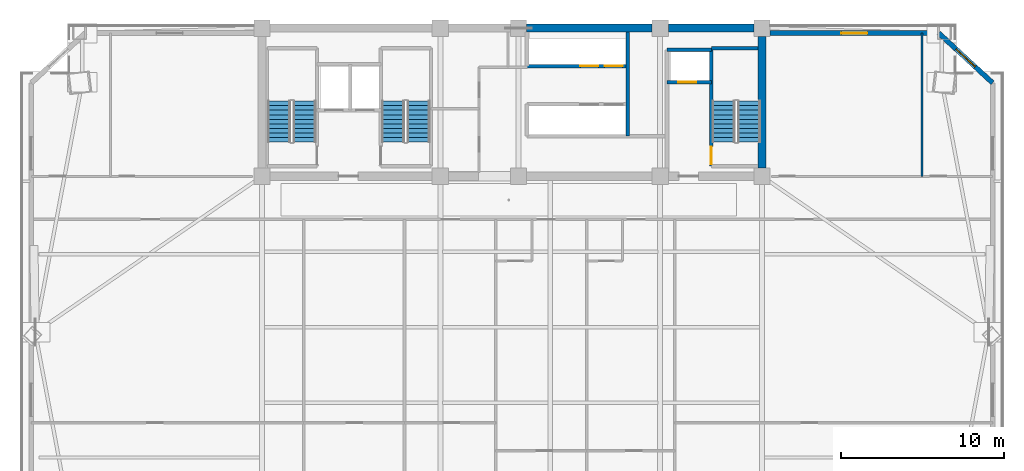
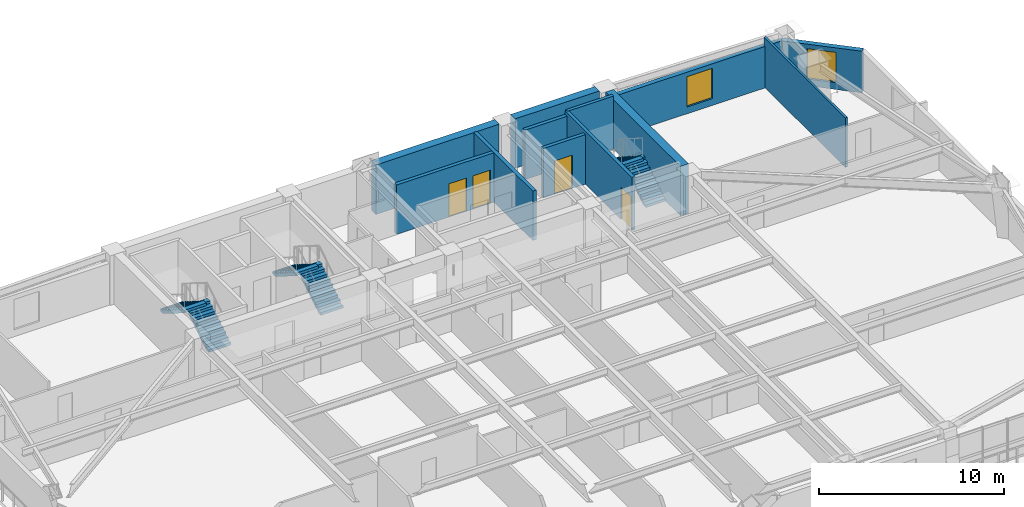
# One storey, part 10 of 16: 12 walls, 6 stair flights, 4 doors, 2 windows, 6 openings, 3 elements without a shape of their own.
"""IFC4 building model written with IfcOpenShell, lengths in metres."""

from ifc_helpers import new_model, si_unit, direction, frame, frame_2d, origin, place, context, subcontext, project, spatial, polyline, rectangle, outline, extrude, source, transform, mapped, material, layer, layer_set, type_object, element, fill, aggregate, save


model = new_model("IFC4")

# Units and contexts
model_context = context("Model", 3, precision=1e-05, world=origin(), true_north=direction((0.0, 1.0)))
body_context = subcontext(model_context, "Body", "Model", "MODEL_VIEW")
ifc_project = project(units=[si_unit("LENGTHUNIT", "METRE"), si_unit("AREAUNIT", "SQUARE_METRE"), si_unit("VOLUMEUNIT", "CUBIC_METRE"), si_unit("PLANEANGLEUNIT", "RADIAN"), si_unit("MASSUNIT", "GRAM", prefix="KILO")], contexts=[model_context])

# Site, building, storey
site_placement = place(None, origin())
site = spatial("IfcSite", under=ifc_project, at=site_placement, CompositionType="ELEMENT")
building_placement = place(site_placement, origin())
building = spatial("IfcBuilding", under=site, at=building_placement, Name="Giltprow Tower", CompositionType="ELEMENT")
storey_placement = place(building_placement, frame((0.0, 0.0, 166.699951171875)))
storey = spatial("IfcBuildingStorey", under=building, at=storey_placement, Name="L41", CompositionType="ELEMENT", Elevation=166.699951171875)

# Wall, opening, window
ifc_material_1 = material(Name="Precast concrete C40", Category="concrete")
ifc_layer_1 = layer(ifc_material_1, 0.300048828125, Name="Precast concrete C40")
ifc_layer_set_1 = layer_set([ifc_layer_1], Name="Precast concrete C40")
wall_type_1 = type_object("IfcWallType", Name="EW-NOTCH-CHAMFER-300", PredefinedType="SOLIDWALL", material=ifc_layer_set_1)
wall_1_placement = place(storey_placement, frame((64.716064453125, 43.18701171875, 0.0), z_axis=(0.0, 0.0, 1.0), x_axis=(-0.734267997056, 0.678859711943, 0.0)))
wall_1 = element("IfcWall", 1, at=wall_1_placement, inside=storey, type_object=wall_type_1, Name="L41 Corner Notch Wall NE", PredefinedType="SOLIDWALL", context=body_context, shape_type="SweptSolid", body=[
    extrude(rectangle(XDim=4.511962890625, YDim=0.300048828125, at=frame_2d((2.255859375, 0.0))), origin(), (0.0, 0.0, 1.0), 2.75),
])
opening_1_placement = place(wall_1_placement, frame((1.4560546875, 0.0, 0.449951171875)))
opening_1 = element("IfcOpeningElement", 2, at=opening_1_placement, cuts=wall_1, Name="Opening WN17", PredefinedType="OPENING", context=body_context, shape_type="SweptSolid", body=[
    extrude(rectangle(XDim=1.60009765625, YDim=2.0, at=frame_2d((0.800048828125, 1.0))), frame((0.0, 0.159912109375, 0.0), z_axis=(0.0, -1.0, 0.0), x_axis=(1.0, 0.0, 0.0)), (0.0, 0.0, 1.0), 0.320068359375),
])
ifc_material_2 = material(Name="Insulated glass", Category="glass")
window_type = type_object("IfcWindowType", Name="WN-COR-1600x2000", PartitioningType="SINGLE_PANEL", PredefinedType="WINDOW", material=ifc_material_2)
shared_shape_1 = source(origin(), body_context, "Body", "SweptSolid", [
    extrude(rectangle(XDim=1.60009765625, YDim=2.0, at=frame_2d((0.800048828125, 1.0))), frame((0.0, 0.030029296875, 0.0), z_axis=(0.0, -1.0, 0.0), x_axis=(1.0, 0.0, 0.0)), (0.0, 0.0, 1.0), 0.06005859375),
])
window_1_placement = place(opening_1_placement, origin())
window_1 = element("IfcWindow", 3, at=window_1_placement, inside=storey, type_object=window_type, Name="L41 Corner Notch Window NE", OverallHeight=2.0, OverallWidth=1.60009765625, PartitioningType="SINGLE_PANEL", PredefinedType="WINDOW", context=body_context, shape_type="MappedRepresentation", body=[
    mapped(shared_shape_1, transform((0.0, 0.0, 0.0), x_axis=(1.0, 0.0, 0.0), y_axis=(0.0, 1.0, 0.0), z_axis=(0.0, 0.0, 1.0), scale=1.0)),
])
fill(opening_1, window_1)

ifc_layer_2 = layer(ifc_material_1, 0.280029296875, Name="Precast concrete C40")
ifc_layer_set_2 = layer_set([ifc_layer_2], Name="Precast concrete C40")
wall_type_2 = type_object("IfcWallType", Name="EW-TOW-BRONZE-280", PredefinedType="SOLIDWALL", material=ifc_layer_set_2)
wall_2_placement = place(storey_placement, frame((51.050048828125, 46.25, 0.0), z_axis=(0.0, 0.0, 1.0), x_axis=(1.0, 0.0, 0.0)))
wall_2 = element("IfcWall", 4, at=wall_2_placement, inside=storey, type_object=wall_type_2, Name="L41 North-East Wing Wall", PredefinedType="SOLIDWALL", context=body_context, shape_type="SweptSolid", body=[
    extrude(rectangle(XDim=10.35302734375, YDim=0.280029296875, at=frame_2d((5.176513671875, 0.0))), origin(), (0.0, 0.0, 1.0), 2.75),
])
opening_2_placement = place(wall_2_placement, frame((4.376953125, 0.0, 0.449951171875)))
opening_2 = element("IfcOpeningElement", 5, at=opening_2_placement, cuts=wall_2, Name="Opening WN17", PredefinedType="OPENING", context=body_context, shape_type="SweptSolid", body=[
    extrude(rectangle(XDim=1.60009765625, YDim=2.0, at=frame_2d((0.800048828125, 1.0))), frame((0.0, 0.14990234375, 0.0), z_axis=(0.0, -1.0, 0.0), x_axis=(1.0, 0.0, 0.0)), (0.0, 0.0, 1.0), 0.300048828125),
])
window_2_placement = place(opening_2_placement, origin())
window_2 = element("IfcWindow", 6, at=window_2_placement, inside=storey, type_object=window_type, Name="L41 North-East Window", OverallHeight=2.0, OverallWidth=1.60009765625, PartitioningType="SINGLE_PANEL", PredefinedType="WINDOW", context=body_context, shape_type="MappedRepresentation", body=[
    mapped(shared_shape_1, transform((0.0, 0.0, 0.0), x_axis=(1.0, 0.0, 0.0), y_axis=(0.0, 1.0, 0.0), z_axis=(0.0, 0.0, 1.0), scale=1.0)),
])
fill(opening_2, window_2)

# Wall, opening, door
ifc_material_3 = material(Name="Concrete C40", Category="concrete")
ifc_layer_3 = layer(ifc_material_3, 0.219970703125, Name="Concrete C40")
ifc_layer_set_3 = layer_set([ifc_layer_3], Name="Concrete C40")
wall_type_3 = type_object("IfcWallType", Name="IW-SHAFT-220", PredefinedType="SOLIDWALL", material=ifc_layer_set_3)
wall_3_placement = place(storey_placement, frame((44.719970703125, 43.219970703125, 0.0), z_axis=(0.0, 0.0, 1.0), x_axis=(1.0, 0.0, 0.0)))
wall_3 = element("IfcWall", 7, at=wall_3_placement, inside=storey, type_object=wall_type_3, Name="L41 FFL2 Front Shaft Wall", PredefinedType="SOLIDWALL", context=body_context, shape_type="SweptSolid", body=[
    extrude(rectangle(XDim=2.719970703125, YDim=0.219970703125, at=frame_2d((1.35986328125, 0.0))), origin(), (0.0, 0.0, 1.0), 3.27001953125),
])
opening_3_placement = place(wall_3_placement, frame((0.699951171875, 0.0, 0.0)))
opening_3 = element("IfcOpeningElement", 8, at=opening_3_placement, cuts=wall_3, Name="Opening LD-11", PredefinedType="OPENING", context=body_context, shape_type="SweptSolid", body=[
    extrude(rectangle(XDim=1.10009765625, YDim=2.199951171875, at=frame_2d((0.550048828125, 1.10009765625))), frame((0.0, 0.119873046875, 0.0), z_axis=(0.0, -1.0, 0.0), x_axis=(1.0, 0.0, 0.0)), (0.0, 0.0, 1.0), 0.239990234375),
])
ifc_material_4 = material(Name="Stainless steel", Category="steel")
door_type_1 = type_object("IfcDoorType", Name="DR-LIFT-LD1100", OperationType="SLIDING_TO_LEFT", PredefinedType="DOOR", material=ifc_material_4)
shared_shape_2 = source(origin(), body_context, "Body", "SweptSolid", [
    extrude(rectangle(XDim=1.10009765625, YDim=2.199951171875, at=frame_2d((0.550048828125, 1.10009765625))), frame((0.0, 0.02490234375, 0.0), z_axis=(0.0, -1.0, 0.0), x_axis=(1.0, 0.0, 0.0)), (0.0, 0.0, 1.0), 0.050048828125),
])
door_1_placement = place(opening_3_placement, origin())
door_1 = element("IfcDoor", 9, at=door_1_placement, inside=storey, type_object=door_type_1, Name="L41 FFL2 Landing Door", OperationType="SLIDING_TO_LEFT", OverallHeight=2.199951171875, OverallWidth=1.10009765625, PredefinedType="DOOR", context=body_context, shape_type="MappedRepresentation", body=[
    mapped(shared_shape_2, transform((0.0, 0.0, 0.0), x_axis=(1.0, 0.0, 0.0), y_axis=(0.0, 1.0, 0.0), z_axis=(0.0, 0.0, 1.0), scale=1.0)),
])
fill(opening_3, door_1)

# Wall
wall_4_placement = place(storey_placement, frame((44.719970703125, 45.219970703125, 0.0), z_axis=(0.0, 0.0, 1.0), x_axis=(1.0, 0.0, 0.0)))
element("IfcWall", 10, at=wall_4_placement, inside=storey, type_object=wall_type_3, Name="L41 FFL2 Back Shaft Wall", PredefinedType="SOLIDWALL", context=body_context, shape_type="SweptSolid", body=[
    extrude(rectangle(XDim=2.719970703125, YDim=0.219970703125, at=frame_2d((1.35986328125, 0.0))), origin(), (0.0, 0.0, 1.0), 3.27001953125),
])

# Wall, openings, doors
wall_5_placement = place(storey_placement, frame((36.1201171875, 44.219970703125, 0.0), z_axis=(0.0, 0.0, 1.0), x_axis=(1.0, 0.0, 0.0)))
wall_5 = element("IfcWall", 11, at=wall_5_placement, inside=storey, type_object=wall_type_3, Name="L41 Mid-Rise Lift Shaft Front Wall N", PredefinedType="SOLIDWALL", context=body_context, shape_type="SweptSolid", body=[
    extrude(rectangle(XDim=6.199951171875, YDim=0.219970703125, at=frame_2d((3.10009765625, 0.0))), origin(), (0.0, 0.0, 1.0), 3.27001953125),
])
opening_4_placement = place(wall_5_placement, frame((3.280029296875, 0.0, 0.0)))
opening_4 = element("IfcOpeningElement", 12, at=opening_4_placement, cuts=wall_5, Name="Opening LD-11", PredefinedType="OPENING", context=body_context, shape_type="SweptSolid", body=[
    extrude(rectangle(XDim=1.10009765625, YDim=2.199951171875, at=frame_2d((0.550048828125, 1.10009765625))), frame((0.0, 0.119873046875, 0.0), z_axis=(0.0, -1.0, 0.0), x_axis=(1.0, 0.0, 0.0)), (0.0, 0.0, 1.0), 0.239990234375),
])
opening_5_placement = place(wall_5_placement, frame((4.77001953125, 0.0, 0.0)))
opening_5 = element("IfcOpeningElement", 13, at=opening_5_placement, cuts=wall_5, Name="Opening LD-11", PredefinedType="OPENING", context=body_context, shape_type="SweptSolid", body=[
    extrude(rectangle(XDim=1.10009765625, YDim=2.199951171875, at=frame_2d((0.550048828125, 1.10009765625))), frame((0.0, 0.119873046875, 0.0), z_axis=(0.0, -1.0, 0.0), x_axis=(1.0, 0.0, 0.0)), (0.0, 0.0, 1.0), 0.239990234375),
])
door_2_placement = place(opening_4_placement, origin())
door_2 = element("IfcDoor", 14, at=door_2_placement, inside=storey, type_object=door_type_1, Name="L41 PL-M1 Landing Door", OperationType="SLIDING_TO_LEFT", OverallHeight=2.199951171875, OverallWidth=1.10009765625, PredefinedType="DOOR", context=body_context, shape_type="MappedRepresentation", body=[
    mapped(shared_shape_2, transform((0.0, 0.0, 0.0), x_axis=(1.0, 0.0, 0.0), y_axis=(0.0, 1.0, 0.0), z_axis=(0.0, 0.0, 1.0), scale=1.0)),
])
fill(opening_4, door_2)
door_3_placement = place(opening_5_placement, origin())
door_3 = element("IfcDoor", 15, at=door_3_placement, inside=storey, type_object=door_type_1, Name="L41 PL-M2 Landing Door", OperationType="SLIDING_TO_LEFT", OverallHeight=2.199951171875, OverallWidth=1.10009765625, PredefinedType="DOOR", context=body_context, shape_type="MappedRepresentation", body=[
    mapped(shared_shape_2, transform((0.0, 0.0, 0.0), x_axis=(1.0, 0.0, 0.0), y_axis=(0.0, 1.0, 0.0), z_axis=(0.0, 0.0, 1.0), scale=1.0)),
])
fill(opening_5, door_3)

# Wall
wall_6_placement = place(storey_placement, frame((42.320068359375, 39.919921875, 0.0), z_axis=(0.0, 0.0, 1.0), x_axis=(0.0, 1.0, 0.0)))
element("IfcWall", 16, at=wall_6_placement, inside=storey, type_object=wall_type_3, Name="L41 Mid-Rise Lift Bank East Closure", PredefinedType="SOLIDWALL", context=body_context, shape_type="SweptSolid", body=[
    extrude(rectangle(XDim=6.400146484375, YDim=0.219970703125, at=frame_2d((3.2001953125, 0.0))), origin(), (0.0, 0.0, 1.0), 3.27001953125),
])

# Wall, opening, door
ifc_layer_4 = layer(ifc_material_3, 0.199951171875, Name="Concrete C40")
ifc_layer_set_4 = layer_set([ifc_layer_4], Name="Concrete C40")
wall_type_4 = type_object("IfcWallType", Name="IW-STAIR-200", PredefinedType="SOLIDWALL", material=ifc_layer_set_4)
wall_7_placement = place(storey_placement, frame((47.43994140625, 38.070068359375, 0.0), z_axis=(0.0, 0.0, 1.0), x_axis=(0.0, 1.0, 0.0)))
wall_7 = element("IfcWall", 17, at=wall_7_placement, inside=storey, type_object=wall_type_4, Name="L41 Stair ST-3 West Bearing Wall", PredefinedType="SOLIDWALL", context=body_context, shape_type="SweptSolid", body=[
    extrude(rectangle(XDim=7.25, YDim=0.199951171875, at=frame_2d((3.625, 0.0))), origin(), (0.0, 0.0, 1.0), 3.5),
])
opening_6_placement = place(wall_7_placement, frame((0.110107421875, 0.0, 0.0)))
opening_6 = element("IfcOpeningElement", 18, at=opening_6_placement, cuts=wall_7, Name="Opening ID33", PredefinedType="OPENING", context=body_context, shape_type="SweptSolid", body=[
    extrude(rectangle(XDim=1.10009765625, YDim=2.14990234375, at=frame_2d((0.550048828125, 1.074951171875))), frame((0.0, 0.10986328125, 0.0), z_axis=(0.0, -1.0, 0.0), x_axis=(1.0, 0.0, 0.0)), (0.0, 0.0, 1.0), 0.219970703125),
])
ifc_material_5 = material(Name="Steel fire leaf", Category="steel")
door_type_2 = type_object("IfcDoorType", Name="DR-STAIR-1100", OperationType="SINGLE_SWING_LEFT", PredefinedType="DOOR", material=ifc_material_5)
shared_shape_3 = source(origin(), body_context, "Body", "SweptSolid", [
    extrude(rectangle(XDim=1.10009765625, YDim=2.14990234375, at=frame_2d((0.550048828125, 1.074951171875))), frame((0.0, 0.02490234375, 0.0), z_axis=(0.0, -1.0, 0.0), x_axis=(1.0, 0.0, 0.0)), (0.0, 0.0, 1.0), 0.050048828125),
])
door_4_placement = place(opening_6_placement, origin())
door_4 = element("IfcDoor", 19, at=door_4_placement, inside=storey, type_object=door_type_2, Name="L41 Stair ST-3 Fire Door", OperationType="SINGLE_SWING_RIGHT", OverallHeight=2.14990234375, OverallWidth=1.10009765625, PredefinedType="DOOR", context=body_context, shape_type="MappedRepresentation", body=[
    mapped(shared_shape_3, transform((0.0, 0.0, 0.0), x_axis=(1.0, 0.0, 0.0), y_axis=(0.0, 1.0, 0.0), z_axis=(0.0, 0.0, 1.0), scale=1.0)),
])
fill(opening_6, door_4)

# Walls
wall_8_placement = place(storey_placement, frame((47.43994140625, 45.320068359375, 0.0), z_axis=(0.0, 0.0, 1.0), x_axis=(1.0, 0.0, 0.0)))
element("IfcWall", 20, at=wall_8_placement, inside=storey, type_object=wall_type_4, Name="L41 Stair ST-3 North Bearing Wall", PredefinedType="SOLIDWALL", context=body_context, shape_type="SweptSolid", body=[
    extrude(rectangle(XDim=2.880126953125, YDim=0.199951171875, at=frame_2d((1.43994140625, 0.0))), origin(), (0.0, 0.0, 1.0), 3.5),
])
ifc_material_6 = material(Name="Concrete C30", Category="concrete")
ifc_layer_5 = layer(ifc_material_6, 0.1298828125, Name="Concrete C30")
ifc_layer_set_5 = layer_set([ifc_layer_5], Name="Concrete C30")
wall_type_5 = type_object("IfcWallType", Name="IW-WET-130", PredefinedType="PARTITIONING", material=ifc_layer_set_5)
wall_9_placement = place(storey_placement, frame((60.3720703125, 37.449951171875, 0.0), z_axis=(0.0, 0.0, 1.0), x_axis=(0.0, 1.0, 0.0)))
element("IfcWall", 21, at=wall_9_placement, inside=storey, type_object=wall_type_5, Name="L41 NE Wing Divider", PredefinedType="PARTITIONING", context=body_context, shape_type="SweptSolid", body=[
    extrude(rectangle(XDim=8.800048828125, YDim=0.1298828125, at=frame_2d((4.39990234375, 0.0))), origin(), (0.0, 0.0, 1.0), 3.27001953125),
])
ifc_material_7 = material(Name="Concrete C50", Category="concrete")
ifc_layer_6 = layer(ifc_material_7, 0.5, Name="Concrete C50")
ifc_layer_set_6 = layer_set([ifc_layer_6], Name="Concrete C50")
wall_type_6 = type_object("IfcWallType", Name="SW-EXT-500-C50", PredefinedType="SHEAR", material=ifc_layer_set_6)
wall_10_placement = place(storey_placement, frame((36.10009765625, 46.550048828125, 0.0), z_axis=(0.0, 0.0, 1.0), x_axis=(1.0, 0.0, 0.0)))
element("IfcWall", 22, at=wall_10_placement, inside=storey, type_object=wall_type_6, Name="L41 North Rear Core Shear Wall 3", PredefinedType="SHEAR", context=body_context, shape_type="SweptSolid", body=[
    extrude(rectangle(XDim=7.699951171875, YDim=0.5, at=frame_2d((3.85009765625, 0.0))), origin(), (0.0, 0.0, 1.0), 3.27001953125),
])
wall_11_placement = place(storey_placement, frame((44.800048828125, 46.550048828125, 0.0), z_axis=(0.0, 0.0, 1.0), x_axis=(1.0, 0.0, 0.0)))
element("IfcWall", 23, at=wall_11_placement, inside=storey, type_object=wall_type_6, Name="L41 North Rear Core Shear Wall 4", PredefinedType="SHEAR", context=body_context, shape_type="SweptSolid", body=[
    extrude(rectangle(XDim=5.25, YDim=0.5, at=frame_2d((2.625, 0.0))), origin(), (0.0, 0.0, 1.0), 3.27001953125),
])
ifc_layer_7 = layer(ifc_material_7, 0.5, Name="Concrete C50")
ifc_layer_set_7 = layer_set([ifc_layer_7], Name="Concrete C50")
wall_type_7 = type_object("IfcWallType", Name="SW-INT-500-C50", PredefinedType="SHEAR", material=ifc_layer_set_7)
wall_12_placement = place(storey_placement, frame((50.550048828125, 37.949951171875, 0.0), z_axis=(0.0, 0.0, 1.0), x_axis=(0.0, 1.0, 0.0)))
element("IfcWall", 24, at=wall_12_placement, inside=storey, type_object=wall_type_7, Name="L41 E Rear Core Shear Wall", PredefinedType="SHEAR", context=body_context, shape_type="SweptSolid", body=[
    extrude(rectangle(XDim=8.10009765625, YDim=0.5, at=frame_2d((4.050048828125, 0.0))), origin(), (0.0, 0.0, 1.0), 3.27001953125),
])

# Stair, stair flights
stair_type_1 = type_object("IfcStairType", Name="STR-ST-1", PredefinedType="HALF_TURN_STAIR", material=ifc_material_3)
stair_1_placement = place(storey_placement, origin())
stair_1 = element("IfcStair", 25, at=stair_1_placement, inside=storey, type_object=stair_type_1, Name="L41 Core Exit Stair ST-1", PredefinedType="HALF_TURN_STAIR")
stair_flight_type_1 = type_object("IfcStairFlightType", Name="SFL-ST-1", PredefinedType="STRAIGHT", material=ifc_material_3)
stair_flight_1_placement = place(storey_placement, frame((22.4599609375, 39.550048828125, 0.0), z_axis=(0.0, 0.0, 1.0), x_axis=(0.0, 1.0, 0.0)))
stair_flight_1 = element("IfcStairFlight", 26, at=stair_flight_1_placement, type_object=stair_flight_type_1, Name="ST-1 flight 1", NumberOfRisers=10, NumberOfTreads=9, PredefinedType="STRAIGHT", RiserHeight=0.175, TreadLength=0.28, context=body_context, shape_type="SweptSolid", body=[
    extrude(outline(polyline([(0.0, 0.0), (0.0, 0.175048828125), (0.280029296875, 0.175048828125), (0.280029296875, 0.35009765625), (0.56005859375, 0.35009765625), (0.56005859375, 0.52490234375), (0.840087890625, 0.52490234375), (0.840087890625, 0.699951171875), (1.1201171875, 0.699951171875), (1.1201171875, 0.875), (1.39990234375, 0.875), (1.39990234375, 1.050048828125), (1.679931640625, 1.050048828125), (1.679931640625, 1.22509765625), (1.9599609375, 1.22509765625), (1.9599609375, 1.39990234375), (2.239990234375, 1.39990234375), (2.239990234375, 1.574951171875), (2.52001953125, 1.574951171875), (2.52001953125, 1.75), (2.52001953125, 1.398193359375), (0.28271484375, 0.0), (0.0, 0.0)])), frame((0.0, 0.699951171875, 0.0), z_axis=(0.0, -1.0, 0.0), x_axis=(1.0, 0.0, 0.0)), (0.0, 0.0, 1.0), 1.39990234375),
])
stair_flight_2_placement = place(storey_placement, frame((20.89990234375, 42.070068359375, 1.75), z_axis=(0.0, 0.0, 1.0), x_axis=(0.0, -1.0, 0.0)))
stair_flight_2 = element("IfcStairFlight", 27, at=stair_flight_2_placement, type_object=stair_flight_type_1, Name="ST-1 flight 2", NumberOfRisers=10, NumberOfTreads=9, PredefinedType="STRAIGHT", RiserHeight=0.175, TreadLength=0.28, context=body_context, shape_type="SweptSolid", body=[
    extrude(outline(polyline([(0.0, 0.0), (0.0, 0.175048828125), (0.280029296875, 0.175048828125), (0.280029296875, 0.35009765625), (0.56005859375, 0.35009765625), (0.56005859375, 0.52490234375), (0.840087890625, 0.52490234375), (0.840087890625, 0.699951171875), (1.1201171875, 0.699951171875), (1.1201171875, 0.875), (1.39990234375, 0.875), (1.39990234375, 1.050048828125), (1.679931640625, 1.050048828125), (1.679931640625, 1.22509765625), (1.9599609375, 1.22509765625), (1.9599609375, 1.39990234375), (2.239990234375, 1.39990234375), (2.239990234375, 1.574951171875), (2.52001953125, 1.574951171875), (2.52001953125, 1.75), (2.52001953125, 1.398193359375), (0.28271484375, 0.0), (0.0, 0.0)])), frame((0.0, 0.699951171875, 0.0), z_axis=(0.0, -1.0, 0.0), x_axis=(1.0, 0.0, 0.0)), (0.0, 0.0, 1.0), 1.39990234375),
])
aggregate(stair_1, [stair_flight_1, stair_flight_2])

stair_type_2 = type_object("IfcStairType", Name="STR-ST-2", PredefinedType="HALF_TURN_STAIR", material=ifc_material_3)
stair_2_placement = place(storey_placement, origin())
stair_2 = element("IfcStair", 28, at=stair_2_placement, inside=storey, type_object=stair_type_2, Name="L41 Core Exit Stair ST-2", PredefinedType="HALF_TURN_STAIR")
stair_flight_type_2 = type_object("IfcStairFlightType", Name="SFL-ST-2", PredefinedType="STRAIGHT", material=ifc_material_3)
stair_flight_3_placement = place(storey_placement, frame((29.4599609375, 39.550048828125, 0.0), z_axis=(0.0, 0.0, 1.0), x_axis=(0.0, 1.0, 0.0)))
stair_flight_3 = element("IfcStairFlight", 29, at=stair_flight_3_placement, type_object=stair_flight_type_2, Name="ST-2 flight 1", NumberOfRisers=10, NumberOfTreads=9, PredefinedType="STRAIGHT", RiserHeight=0.175, TreadLength=0.28, context=body_context, shape_type="SweptSolid", body=[
    extrude(outline(polyline([(0.0, 0.0), (0.0, 0.175048828125), (0.280029296875, 0.175048828125), (0.280029296875, 0.35009765625), (0.56005859375, 0.35009765625), (0.56005859375, 0.52490234375), (0.840087890625, 0.52490234375), (0.840087890625, 0.699951171875), (1.1201171875, 0.699951171875), (1.1201171875, 0.875), (1.39990234375, 0.875), (1.39990234375, 1.050048828125), (1.679931640625, 1.050048828125), (1.679931640625, 1.22509765625), (1.9599609375, 1.22509765625), (1.9599609375, 1.39990234375), (2.239990234375, 1.39990234375), (2.239990234375, 1.574951171875), (2.52001953125, 1.574951171875), (2.52001953125, 1.75), (2.52001953125, 1.398193359375), (0.28271484375, 0.0), (0.0, 0.0)])), frame((0.0, 0.699951171875, 0.0), z_axis=(0.0, -1.0, 0.0), x_axis=(1.0, 0.0, 0.0)), (0.0, 0.0, 1.0), 1.39990234375),
])
stair_flight_4_placement = place(storey_placement, frame((27.89990234375, 42.070068359375, 1.75), z_axis=(0.0, 0.0, 1.0), x_axis=(0.0, -1.0, 0.0)))
stair_flight_4 = element("IfcStairFlight", 30, at=stair_flight_4_placement, type_object=stair_flight_type_2, Name="ST-2 flight 2", NumberOfRisers=10, NumberOfTreads=9, PredefinedType="STRAIGHT", RiserHeight=0.175, TreadLength=0.28, context=body_context, shape_type="SweptSolid", body=[
    extrude(outline(polyline([(0.0, 0.0), (0.0, 0.175048828125), (0.280029296875, 0.175048828125), (0.280029296875, 0.35009765625), (0.56005859375, 0.35009765625), (0.56005859375, 0.52490234375), (0.840087890625, 0.52490234375), (0.840087890625, 0.699951171875), (1.1201171875, 0.699951171875), (1.1201171875, 0.875), (1.39990234375, 0.875), (1.39990234375, 1.050048828125), (1.679931640625, 1.050048828125), (1.679931640625, 1.22509765625), (1.9599609375, 1.22509765625), (1.9599609375, 1.39990234375), (2.239990234375, 1.39990234375), (2.239990234375, 1.574951171875), (2.52001953125, 1.574951171875), (2.52001953125, 1.75), (2.52001953125, 1.398193359375), (0.28271484375, 0.0), (0.0, 0.0)])), frame((0.0, 0.699951171875, 0.0), z_axis=(0.0, -1.0, 0.0), x_axis=(1.0, 0.0, 0.0)), (0.0, 0.0, 1.0), 1.39990234375),
])
aggregate(stair_2, [stair_flight_3, stair_flight_4])

stair_type_3 = type_object("IfcStairType", Name="STR-ST-3", PredefinedType="HALF_TURN_STAIR", material=ifc_material_3)
stair_3_placement = place(storey_placement, origin())
stair_3 = element("IfcStair", 31, at=stair_3_placement, inside=storey, type_object=stair_type_3, Name="L41 Core Exit Stair ST-3", PredefinedType="HALF_TURN_STAIR")
stair_flight_type_3 = type_object("IfcStairFlightType", Name="SFL-ST-3", PredefinedType="STRAIGHT", material=ifc_material_3)
stair_flight_5_placement = place(storey_placement, frame((49.760009765625, 39.550048828125, 0.0), z_axis=(0.0, 0.0, 1.0), x_axis=(0.0, 1.0, 0.0)))
stair_flight_5 = element("IfcStairFlight", 32, at=stair_flight_5_placement, type_object=stair_flight_type_3, Name="ST-3 flight 1", NumberOfRisers=10, NumberOfTreads=9, PredefinedType="STRAIGHT", RiserHeight=0.175, TreadLength=0.28, context=body_context, shape_type="SweptSolid", body=[
    extrude(outline(polyline([(0.0, 0.0), (0.0, 0.175048828125), (0.280029296875, 0.175048828125), (0.280029296875, 0.35009765625), (0.56005859375, 0.35009765625), (0.56005859375, 0.52490234375), (0.840087890625, 0.52490234375), (0.840087890625, 0.699951171875), (1.1201171875, 0.699951171875), (1.1201171875, 0.875), (1.39990234375, 0.875), (1.39990234375, 1.050048828125), (1.679931640625, 1.050048828125), (1.679931640625, 1.22509765625), (1.9599609375, 1.22509765625), (1.9599609375, 1.39990234375), (2.239990234375, 1.39990234375), (2.239990234375, 1.574951171875), (2.52001953125, 1.574951171875), (2.52001953125, 1.75), (2.52001953125, 1.398193359375), (0.28271484375, 0.0), (0.0, 0.0)])), frame((0.0, 0.699951171875, 0.0), z_axis=(0.0, -1.0, 0.0), x_axis=(1.0, 0.0, 0.0)), (0.0, 0.0, 1.0), 1.39990234375),
])
stair_flight_6_placement = place(storey_placement, frame((48.199951171875, 42.070068359375, 1.75), z_axis=(0.0, 0.0, 1.0), x_axis=(0.0, -1.0, 0.0)))
stair_flight_6 = element("IfcStairFlight", 33, at=stair_flight_6_placement, type_object=stair_flight_type_3, Name="ST-3 flight 2", NumberOfRisers=10, NumberOfTreads=9, PredefinedType="STRAIGHT", RiserHeight=0.175, TreadLength=0.28, context=body_context, shape_type="SweptSolid", body=[
    extrude(outline(polyline([(0.0, 0.0), (0.0, 0.175048828125), (0.280029296875, 0.175048828125), (0.280029296875, 0.35009765625), (0.56005859375, 0.35009765625), (0.56005859375, 0.52490234375), (0.840087890625, 0.52490234375), (0.840087890625, 0.699951171875), (1.1201171875, 0.699951171875), (1.1201171875, 0.875), (1.39990234375, 0.875), (1.39990234375, 1.050048828125), (1.679931640625, 1.050048828125), (1.679931640625, 1.22509765625), (1.9599609375, 1.22509765625), (1.9599609375, 1.39990234375), (2.239990234375, 1.39990234375), (2.239990234375, 1.574951171875), (2.52001953125, 1.574951171875), (2.52001953125, 1.75), (2.52001953125, 1.398193359375), (0.28271484375, 0.0), (0.0, 0.0)])), frame((0.0, 0.699951171875, 0.0), z_axis=(0.0, -1.0, 0.0), x_axis=(1.0, 0.0, 0.0)), (0.0, 0.0, 1.0), 1.39990234375),
])
aggregate(stair_3, [stair_flight_5, stair_flight_6])

save(model, "model.ifc")
